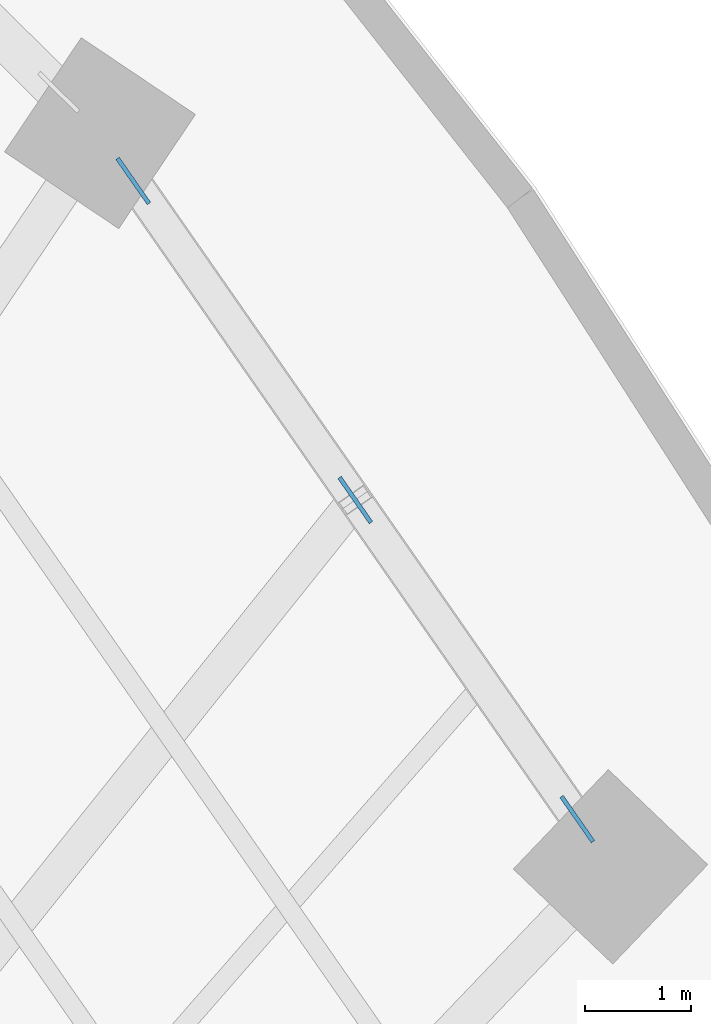
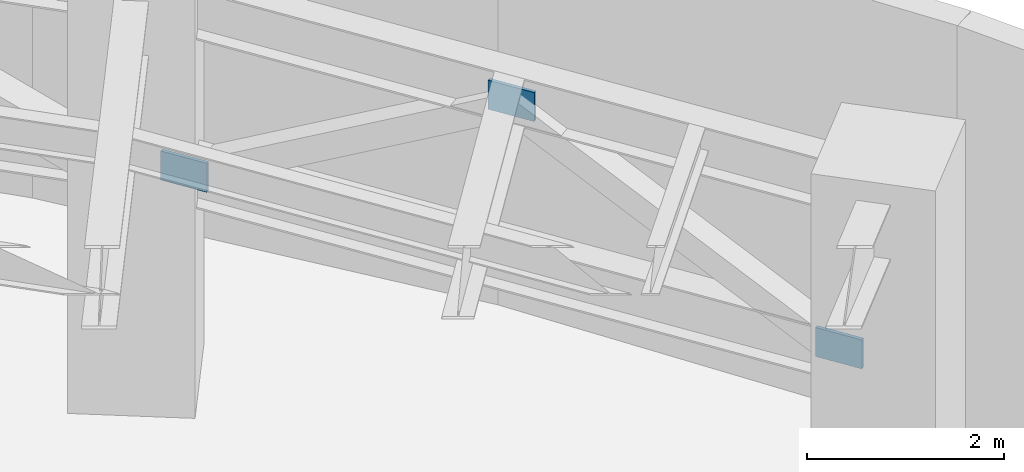
# One storey, part 6 of 10: 3 plates.
"""IFC4 building model written with IfcOpenShell, lengths in metres."""

from ifc_helpers import new_model, si_unit, direction, frame, origin, origin_2d, place, context, subcontext, project, spatial, rectangle, extrude, source, transform, mapped, material, layer, layer_set, type_object, element, save


model = new_model("IFC4")

# Units and contexts
model_context = context("Model", 3, precision=1e-05, world=origin(), true_north=direction((0.0, 1.0)))
body_context = subcontext(model_context, "Body", "Model", "MODEL_VIEW")
ifc_project = project(units=[si_unit("LENGTHUNIT", "METRE"), si_unit("AREAUNIT", "SQUARE_METRE"), si_unit("VOLUMEUNIT", "CUBIC_METRE"), si_unit("PLANEANGLEUNIT", "RADIAN"), si_unit("MASSUNIT", "GRAM", prefix="KILO")], contexts=[model_context])

# Site, building, storey
site_placement = place(None, origin())
site = spatial("IfcSite", under=ifc_project, at=site_placement, CompositionType="ELEMENT")
building_placement = place(site_placement, origin())
building = spatial("IfcBuilding", under=site, at=building_placement, Name="Breltana Convention Tower", CompositionType="ELEMENT")
storey_placement = place(building_placement, frame((0.0, 0.0, 85.800048828125)))
storey = spatial("IfcBuildingStorey", under=building, at=storey_placement, Name="L20", CompositionType="ELEMENT", Elevation=85.800048828125)

# Plates
ifc_material = material(Name="Steel S355", Category="steel")
ifc_layer = layer(ifc_material, 0.0400390625, Name="Steel S355")
ifc_layer_set = layer_set([ifc_layer], Name="Steel S355")
plate_type = type_object("IfcPlateType", Name="PL-GUSSET-40", PredefinedType="USERDEFINED", material=ifc_layer_set)
shared_shape = source(origin(), body_context, "Body", "SweptSolid", [
    extrude(rectangle(XDim=0.52001953125, YDim=0.0400390625, at=origin_2d()), origin(), (0.0, 0.0, 1.0), 0.360107421875),
])
for number, where, z_axis, x_axis, name in (
    (1, (75.48095703125, 61.978759765625, 2.56982421875), (0.0, 0.0, 1.0), (0.571143442153, -0.820850271661, 0.0), "L20 Structural Brace Node Gusset Plate 049"),
    (2, (77.579833984375, 58.962158203125, 4.5419921875), (0.0, 0.0, 1.0), (0.571143442153, -0.820850271661, 0.0), "L20 Structural Brace Node Gusset Plate 050"),
    (3, (79.678955078125, 55.94580078125, 2.56982421875), (0.0, 0.0, 1.0), (0.571143442153, -0.820850271661, 0.0), "L20 Structural Brace Node Gusset Plate 051"),
):
    element("IfcPlate", number, at=place(storey_placement, frame(where, z_axis=z_axis, x_axis=x_axis)), inside=storey, type_object=plate_type, Name=name, ObjectType="GUSSET_PLATE", PredefinedType="USERDEFINED", context=body_context, shape_type="MappedRepresentation", body=[
        mapped(shared_shape, transform((0.0, 0.0, 0.0), scale=1.0)),
    ])

save(model, "model.ifc")
